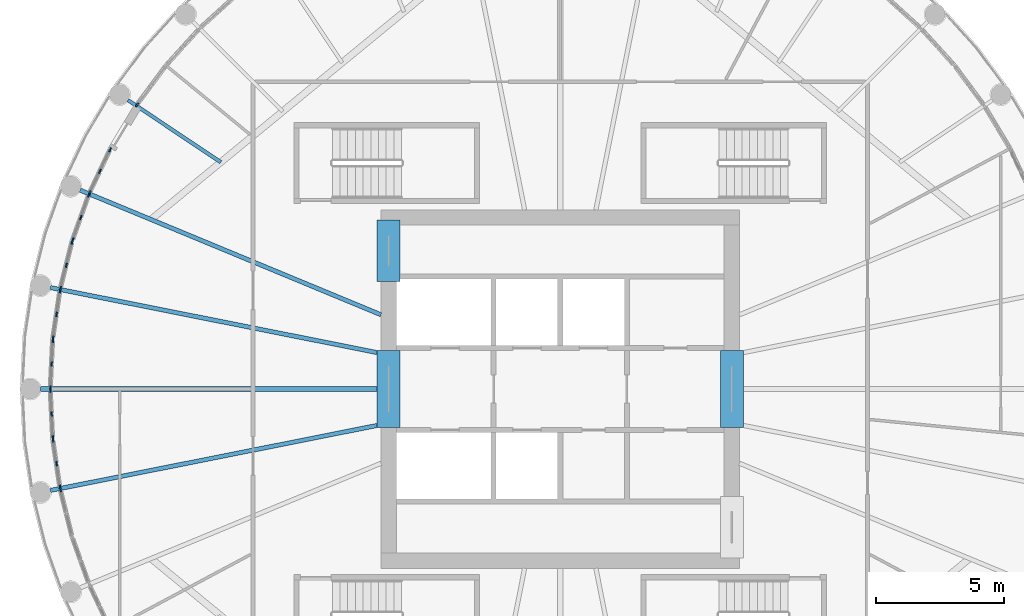
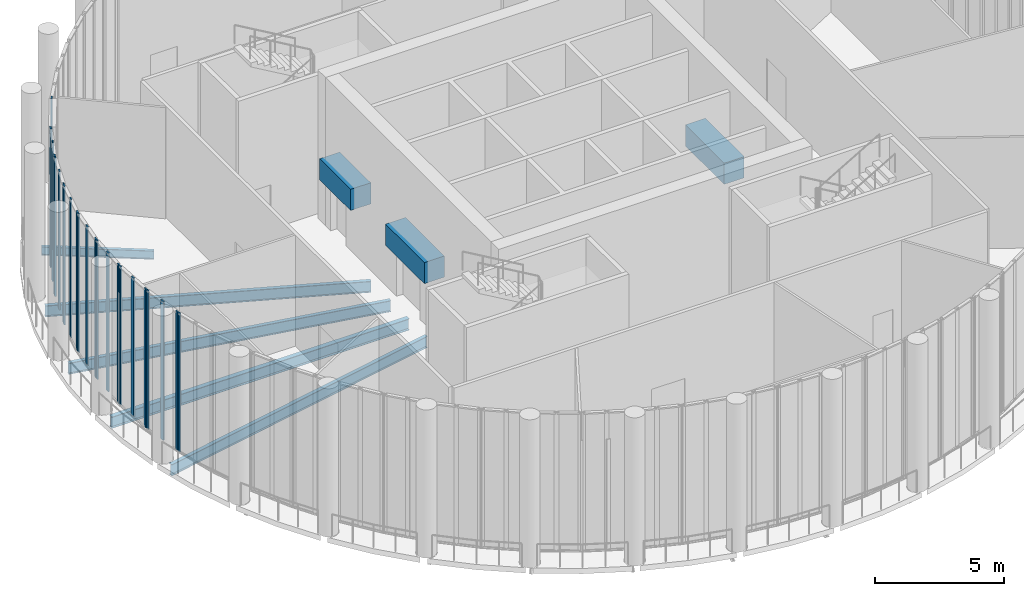
# One storey, part 4 of 21: 23 members, 8 beams, 9 elements without a shape of their own.
"""IFC4 building model written with IfcOpenShell, lengths in metres."""

from ifc_helpers import new_model, si_unit, direction, frame, origin, origin_2d, place, context, subcontext, project, spatial, rectangle, i_section, extrude, material, material_profile, profile_set, type_object, element, aggregate, save


model = new_model("IFC4")

# Units and contexts
model_context = context("Model", 3, precision=1e-05, world=origin(), true_north=direction((0.0, 1.0)))
body_context = subcontext(model_context, "Body", "Model", "MODEL_VIEW")
ifc_project = project(units=[si_unit("LENGTHUNIT", "METRE"), si_unit("AREAUNIT", "SQUARE_METRE"), si_unit("VOLUMEUNIT", "CUBIC_METRE"), si_unit("PLANEANGLEUNIT", "RADIAN"), si_unit("MASSUNIT", "GRAM", prefix="KILO")], contexts=[model_context])

# Site, building, storey
site_placement = place(None, origin())
site = spatial("IfcSite", under=ifc_project, at=site_placement, CompositionType="ELEMENT")
building_placement = place(site_placement, origin())
building = spatial("IfcBuilding", under=site, at=building_placement, Name="Corvane Civic Tower", CompositionType="ELEMENT")
storey_placement = place(building_placement, frame((0.0, 0.0, 380.5)))
storey = spatial("IfcBuildingStorey", under=building, at=storey_placement, Name="L91", CompositionType="ELEMENT", Elevation=380.5)

# Beams
ifc_material_1 = material(Name="Concrete C40/50", Category="concrete")
ifc_material_profile_1 = material_profile(ifc_material_1, rectangle(XDim=0.89990234375, YDim=1.0, at=origin_2d()), Name="COUPLING BEAM 900X1000")
ifc_profile_set_1 = profile_set([ifc_material_profile_1], Name="Concrete C40/50")
beam_type_1 = type_object("IfcBeamType", Name="COUPLING BEAM COUPLING BEAM 900X1000", PredefinedType="BEAM", material=ifc_profile_set_1)
for number, where, z_axis, x_axis, name in (
    (1, (-6.699951171875, -1.5, 2.60009765625), (0.0, 1.0, 0.0), (-1.0, 0.0, 0.0), "BM-L91-cpl-CW-LW"),
    (2, (6.699951171875, -1.5, 2.60009765625), (0.0, 1.0, 0.0), (-1.0, 0.0, 0.0), "BM-L91-cpl-CW-LE"),
):
    element("IfcBeam", number, at=place(storey_placement, frame(where, z_axis=z_axis, x_axis=x_axis)), inside=storey, type_object=beam_type_1, Name=name, PredefinedType="BEAM", context=body_context, shape_type="SweptSolid", body=[
        extrude(rectangle(XDim=0.89990234375, YDim=1.0, at=origin_2d()), origin(), (0.0, 0.0, 1.0), 3.0),
    ])
beam_1_placement = place(storey_placement, frame((-6.699951171875, 4.199951171875, 2.60009765625), z_axis=(0.0, 1.0, 0.0), x_axis=(-1.0, 0.0, 0.0)))
element("IfcBeam", 3, at=beam_1_placement, inside=storey, type_object=beam_type_1, Name="BM-L91-cpl-CW-PAS-N", PredefinedType="BEAM", context=body_context, shape_type="SweptSolid", body=[
    extrude(rectangle(XDim=0.89990234375, YDim=1.0, at=origin_2d()), origin(), (0.0, 0.0, 1.0), 2.400146484375),
])

# Curtain wall, member
ifc_material_2 = material(Name="Aluminium and glass", Category="aluminium")
curtain_wall_type = type_object("IfcCurtainWallType", Name="CROWN-CW-O-RUN", PredefinedType="NOTDEFINED", material=ifc_material_2)
curtain_wall_1_placement = place(storey_placement, origin())
curtain_wall_1 = element("IfcCurtainWall", 4, at=curtain_wall_1_placement, inside=storey, type_object=curtain_wall_type, Name="CW-O run L91 10", PredefinedType="NOTDEFINED")
ifc_material_3 = material(Name="Anodised aluminium bronze", Category="aluminium")
ifc_material_profile_2 = material_profile(ifc_material_3, rectangle(XDim=0.06005859375, YDim=0.179931640625, at=origin_2d()), Name="AL 60x180")
ifc_profile_set_2 = profile_set([ifc_material_profile_2], Name="Anodised aluminium bronze")
member_type = type_object("IfcMemberType", Name="CROWN-CWO-MULLION-60x180", PredefinedType="MULLION", material=ifc_profile_set_2)
member_1_placement = place(storey_placement, frame((-16.52734375, 11.097900390625, 0.0), z_axis=(0.0, 0.0, 1.0), x_axis=(0.803190345058, -0.595722477003, 0.0)))
member_1 = element("IfcMember", 5, at=member_1_placement, type_object=member_type, Name="CW-O mullion 3", PredefinedType="MULLION", context=body_context, shape_type="SweptSolid", body=[
    extrude(rectangle(XDim=0.06005859375, YDim=0.179931640625, at=origin_2d()), origin(), (0.0, 0.0, 1.0), 6.550048828125),
])
aggregate(curtain_wall_1, [member_1])

# Curtain wall, members
curtain_wall_2_placement = place(storey_placement, origin())
curtain_wall_2 = element("IfcCurtainWall", 6, at=curtain_wall_2_placement, inside=storey, type_object=curtain_wall_type, Name="CW-O run L91 12", PredefinedType="NOTDEFINED")
member_2_placement = place(storey_placement, frame((-17.578369140625, 9.34423828125, 0.0), z_axis=(0.0, 0.0, 1.0), x_axis=(0.904010875684, -0.427509457959, 0.0)))
member_2 = element("IfcMember", 7, at=member_2_placement, type_object=member_type, Name="CW-O mullion 1", PredefinedType="MULLION", context=body_context, shape_type="SweptSolid", body=[
    extrude(rectangle(XDim=0.06005859375, YDim=0.179931640625, at=origin_2d()), origin(), (0.0, 0.0, 1.0), 6.550048828125),
])
member_3_placement = place(storey_placement, frame((-17.9765625, 8.502197265625, 0.0), z_axis=(0.0, 0.0, 1.0), x_axis=(0.904010875684, -0.427509457959, 0.0)))
member_3 = element("IfcMember", 8, at=member_3_placement, type_object=member_type, Name="CW-O mullion 2", PredefinedType="MULLION", context=body_context, shape_type="SweptSolid", body=[
    extrude(rectangle(XDim=0.06005859375, YDim=0.179931640625, at=origin_2d()), origin(), (0.0, 0.0, 1.0), 6.550048828125),
])
member_4_placement = place(storey_placement, frame((-18.374755859375, 7.660400390625, 0.0), z_axis=(0.0, 0.0, 1.0), x_axis=(0.904010875684, -0.427509457959, 0.0)))
member_4 = element("IfcMember", 9, at=member_4_placement, type_object=member_type, Name="CW-O mullion 3", PredefinedType="MULLION", context=body_context, shape_type="SweptSolid", body=[
    extrude(rectangle(XDim=0.06005859375, YDim=0.179931640625, at=origin_2d()), origin(), (0.0, 0.0, 1.0), 6.550048828125),
])
aggregate(curtain_wall_2, [member_2, member_3, member_4])

curtain_wall_3_placement = place(storey_placement, origin())
curtain_wall_3 = element("IfcCurtainWall", 10, at=curtain_wall_3_placement, inside=storey, type_object=curtain_wall_type, Name="CW-O run L91 13", PredefinedType="NOTDEFINED")
member_5_placement = place(storey_placement, frame((-18.40966796875, 7.576171875, 0.0), z_axis=(0.0, 0.0, 1.0), x_axis=(0.941511051216, -0.336982106999, 0.0)))
member_5 = element("IfcMember", 11, at=member_5_placement, type_object=member_type, Name="CW-O mullion 1", PredefinedType="MULLION", context=body_context, shape_type="SweptSolid", body=[
    extrude(rectangle(XDim=0.06005859375, YDim=0.179931640625, at=origin_2d()), origin(), (0.0, 0.0, 1.0), 6.550048828125),
])
member_6_placement = place(storey_placement, frame((-18.723388671875, 6.69921875, 0.0), z_axis=(0.0, 0.0, 1.0), x_axis=(0.941511051216, -0.336982106999, 0.0)))
member_6 = element("IfcMember", 12, at=member_6_placement, type_object=member_type, Name="CW-O mullion 2", PredefinedType="MULLION", context=body_context, shape_type="SweptSolid", body=[
    extrude(rectangle(XDim=0.06005859375, YDim=0.179931640625, at=origin_2d()), origin(), (0.0, 0.0, 1.0), 6.550048828125),
])
member_7_placement = place(storey_placement, frame((-19.037353515625, 5.822509765625, 0.0), z_axis=(0.0, 0.0, 1.0), x_axis=(0.941511051216, -0.336982106999, 0.0)))
member_7 = element("IfcMember", 13, at=member_7_placement, type_object=member_type, Name="CW-O mullion 3", PredefinedType="MULLION", context=body_context, shape_type="SweptSolid", body=[
    extrude(rectangle(XDim=0.06005859375, YDim=0.179931640625, at=origin_2d()), origin(), (0.0, 0.0, 1.0), 6.550048828125),
])
aggregate(curtain_wall_3, [member_5, member_6, member_7])

curtain_wall_4_placement = place(storey_placement, origin())
curtain_wall_4 = element("IfcCurtainWall", 14, at=curtain_wall_4_placement, inside=storey, type_object=curtain_wall_type, Name="CW-O run L91 14", PredefinedType="NOTDEFINED")
member_8_placement = place(storey_placement, frame((-19.063720703125, 5.7353515625, 0.0), z_axis=(0.0, 0.0, 1.0), x_axis=(0.970038385347, -0.242951704982, 0.0)))
member_8 = element("IfcMember", 15, at=member_8_placement, type_object=member_type, Name="CW-O mullion 1", PredefinedType="MULLION", context=body_context, shape_type="SweptSolid", body=[
    extrude(rectangle(XDim=0.06005859375, YDim=0.179931640625, at=origin_2d()), origin(), (0.0, 0.0, 1.0), 6.550048828125),
])
member_9_placement = place(storey_placement, frame((-19.2900390625, 4.831787109375, 0.0), z_axis=(0.0, 0.0, 1.0), x_axis=(0.970038385347, -0.242951704982, 0.0)))
member_9 = element("IfcMember", 16, at=member_9_placement, type_object=member_type, Name="CW-O mullion 2", PredefinedType="MULLION", context=body_context, shape_type="SweptSolid", body=[
    extrude(rectangle(XDim=0.06005859375, YDim=0.179931640625, at=origin_2d()), origin(), (0.0, 0.0, 1.0), 6.550048828125),
])
member_10_placement = place(storey_placement, frame((-19.516357421875, 3.928466796875, 0.0), z_axis=(0.0, 0.0, 1.0), x_axis=(0.970038385347, -0.242951704982, 0.0)))
member_10 = element("IfcMember", 17, at=member_10_placement, type_object=member_type, Name="CW-O mullion 3", PredefinedType="MULLION", context=body_context, shape_type="SweptSolid", body=[
    extrude(rectangle(XDim=0.06005859375, YDim=0.179931640625, at=origin_2d()), origin(), (0.0, 0.0, 1.0), 6.550048828125),
])
aggregate(curtain_wall_4, [member_8, member_9, member_10])

curtain_wall_5_placement = place(storey_placement, origin())
curtain_wall_5 = element("IfcCurtainWall", 18, at=curtain_wall_5_placement, inside=storey, type_object=curtain_wall_type, Name="CW-O run L91 15", PredefinedType="NOTDEFINED")
member_11_placement = place(storey_placement, frame((-19.533935546875, 3.839111328125, 0.0), z_axis=(0.0, 0.0, 1.0), x_axis=(0.989170486303, -0.146771076941, 0.0)))
member_11 = element("IfcMember", 19, at=member_11_placement, type_object=member_type, Name="CW-O mullion 1", PredefinedType="MULLION", context=body_context, shape_type="SweptSolid", body=[
    extrude(rectangle(XDim=0.06005859375, YDim=0.179931640625, at=origin_2d()), origin(), (0.0, 0.0, 1.0), 6.550048828125),
])
member_12_placement = place(storey_placement, frame((-19.670654296875, 2.91796875, 0.0), z_axis=(0.0, 0.0, 1.0), x_axis=(0.989170486303, -0.146771076941, 0.0)))
member_12 = element("IfcMember", 20, at=member_12_placement, type_object=member_type, Name="CW-O mullion 2", PredefinedType="MULLION", context=body_context, shape_type="SweptSolid", body=[
    extrude(rectangle(XDim=0.06005859375, YDim=0.179931640625, at=origin_2d()), origin(), (0.0, 0.0, 1.0), 6.550048828125),
])
member_13_placement = place(storey_placement, frame((-19.807373046875, 1.99658203125, 0.0), z_axis=(0.0, 0.0, 1.0), x_axis=(0.989170486303, -0.146771076941, 0.0)))
member_13 = element("IfcMember", 21, at=member_13_placement, type_object=member_type, Name="CW-O mullion 3", PredefinedType="MULLION", context=body_context, shape_type="SweptSolid", body=[
    extrude(rectangle(XDim=0.06005859375, YDim=0.179931640625, at=origin_2d()), origin(), (0.0, 0.0, 1.0), 6.550048828125),
])
aggregate(curtain_wall_5, [member_11, member_12, member_13])

curtain_wall_6_placement = place(storey_placement, origin())
curtain_wall_6 = element("IfcCurtainWall", 22, at=curtain_wall_6_placement, inside=storey, type_object=curtain_wall_type, Name="CW-O run L91 16", PredefinedType="NOTDEFINED")
member_14_placement = place(storey_placement, frame((-19.81640625, 1.90625, 0.0), z_axis=(0.0, 0.0, 1.0), x_axis=(0.998799228405, -0.048990829113, 0.0)))
member_14 = element("IfcMember", 23, at=member_14_placement, type_object=member_type, Name="CW-O mullion 1", PredefinedType="MULLION", context=body_context, shape_type="SweptSolid", body=[
    extrude(rectangle(XDim=0.06005859375, YDim=0.179931640625, at=origin_2d()), origin(), (0.0, 0.0, 1.0), 6.550048828125),
])
member_15_placement = place(storey_placement, frame((-19.862060546875, 0.975830078125, 0.0), z_axis=(0.0, 0.0, 1.0), x_axis=(0.998799228405, -0.048990829113, 0.0)))
member_15 = element("IfcMember", 24, at=member_15_placement, type_object=member_type, Name="CW-O mullion 2", PredefinedType="MULLION", context=body_context, shape_type="SweptSolid", body=[
    extrude(rectangle(XDim=0.06005859375, YDim=0.179931640625, at=origin_2d()), origin(), (0.0, 0.0, 1.0), 6.550048828125),
])
member_16_placement = place(storey_placement, frame((-19.90771484375, 0.045654296875, 0.0), z_axis=(0.0, 0.0, 1.0), x_axis=(0.998799228405, -0.048990829113, 0.0)))
member_16 = element("IfcMember", 25, at=member_16_placement, type_object=member_type, Name="CW-O mullion 3", PredefinedType="MULLION", context=body_context, shape_type="SweptSolid", body=[
    extrude(rectangle(XDim=0.06005859375, YDim=0.179931640625, at=origin_2d()), origin(), (0.0, 0.0, 1.0), 6.550048828125),
])
aggregate(curtain_wall_6, [member_14, member_15, member_16])

curtain_wall_7_placement = place(storey_placement, origin())
curtain_wall_7 = element("IfcCurtainWall", 26, at=curtain_wall_7_placement, inside=storey, type_object=curtain_wall_type, Name="CW-O run L91 17", PredefinedType="NOTDEFINED")
member_17_placement = place(storey_placement, frame((-19.90771484375, -0.045654296875, 0.0), z_axis=(0.0, 0.0, 1.0), x_axis=(0.998799228405, 0.048990829113, 0.0)))
member_17 = element("IfcMember", 27, at=member_17_placement, type_object=member_type, Name="CW-O mullion 1", PredefinedType="MULLION", context=body_context, shape_type="SweptSolid", body=[
    extrude(rectangle(XDim=0.06005859375, YDim=0.179931640625, at=origin_2d()), origin(), (0.0, 0.0, 1.0), 6.550048828125),
])
member_18_placement = place(storey_placement, frame((-19.862060546875, -0.975830078125, 0.0), z_axis=(0.0, 0.0, 1.0), x_axis=(0.998799228405, 0.048990829113, 0.0)))
member_18 = element("IfcMember", 28, at=member_18_placement, type_object=member_type, Name="CW-O mullion 2", PredefinedType="MULLION", context=body_context, shape_type="SweptSolid", body=[
    extrude(rectangle(XDim=0.06005859375, YDim=0.179931640625, at=origin_2d()), origin(), (0.0, 0.0, 1.0), 6.550048828125),
])
member_19_placement = place(storey_placement, frame((-19.81640625, -1.90625, 0.0), z_axis=(0.0, 0.0, 1.0), x_axis=(0.998799228405, 0.048990829113, 0.0)))
member_19 = element("IfcMember", 29, at=member_19_placement, type_object=member_type, Name="CW-O mullion 3", PredefinedType="MULLION", context=body_context, shape_type="SweptSolid", body=[
    extrude(rectangle(XDim=0.06005859375, YDim=0.179931640625, at=origin_2d()), origin(), (0.0, 0.0, 1.0), 6.550048828125),
])
aggregate(curtain_wall_7, [member_17, member_18, member_19])

curtain_wall_8_placement = place(storey_placement, origin())
curtain_wall_8 = element("IfcCurtainWall", 30, at=curtain_wall_8_placement, inside=storey, type_object=curtain_wall_type, Name="CW-O run L91 18", PredefinedType="NOTDEFINED")
member_20_placement = place(storey_placement, frame((-19.807373046875, -1.99658203125, 0.0), z_axis=(0.0, 0.0, 1.0), x_axis=(0.989170486303, 0.146771076941, 0.0)))
member_20 = element("IfcMember", 31, at=member_20_placement, type_object=member_type, Name="CW-O mullion 1", PredefinedType="MULLION", context=body_context, shape_type="SweptSolid", body=[
    extrude(rectangle(XDim=0.06005859375, YDim=0.179931640625, at=origin_2d()), origin(), (0.0, 0.0, 1.0), 6.550048828125),
])
member_21_placement = place(storey_placement, frame((-19.670654296875, -2.91796875, 0.0), z_axis=(0.0, 0.0, 1.0), x_axis=(0.989170486303, 0.146771076941, 0.0)))
member_21 = element("IfcMember", 32, at=member_21_placement, type_object=member_type, Name="CW-O mullion 2", PredefinedType="MULLION", context=body_context, shape_type="SweptSolid", body=[
    extrude(rectangle(XDim=0.06005859375, YDim=0.179931640625, at=origin_2d()), origin(), (0.0, 0.0, 1.0), 6.550048828125),
])
member_22_placement = place(storey_placement, frame((-19.533935546875, -3.839111328125, 0.0), z_axis=(0.0, 0.0, 1.0), x_axis=(0.989170486303, 0.146771076941, 0.0)))
member_22 = element("IfcMember", 33, at=member_22_placement, type_object=member_type, Name="CW-O mullion 3", PredefinedType="MULLION", context=body_context, shape_type="SweptSolid", body=[
    extrude(rectangle(XDim=0.06005859375, YDim=0.179931640625, at=origin_2d()), origin(), (0.0, 0.0, 1.0), 6.550048828125),
])
aggregate(curtain_wall_8, [member_20, member_21, member_22])

# Curtain wall, member
curtain_wall_9_placement = place(storey_placement, origin())
curtain_wall_9 = element("IfcCurtainWall", 34, at=curtain_wall_9_placement, inside=storey, type_object=curtain_wall_type, Name="CW-O run L91 19", PredefinedType="NOTDEFINED")
member_23_placement = place(storey_placement, frame((-19.516357421875, -3.928466796875, 0.0), z_axis=(0.0, 0.0, 1.0), x_axis=(0.970038385347, 0.242951704982, 0.0)))
member_23 = element("IfcMember", 35, at=member_23_placement, type_object=member_type, Name="CW-O mullion 1", PredefinedType="MULLION", context=body_context, shape_type="SweptSolid", body=[
    extrude(rectangle(XDim=0.06005859375, YDim=0.179931640625, at=origin_2d()), origin(), (0.0, 0.0, 1.0), 6.550048828125),
])
aggregate(curtain_wall_9, [member_23])

# Beams
ifc_material_4 = material(Name="Steel ASTM A992 Gr 50", Category="steel")
ifc_material_profile_3 = material_profile(ifc_material_4, i_section(OverallWidth=0.140380859375, OverallDepth=0.40380859375, WebThickness=0.007080078125, FlangeThickness=0.01123046875, at=origin_2d()), Name="W16X31")
ifc_profile_set_3 = profile_set([ifc_material_profile_3], Name="Steel ASTM A992 Gr 50")
beam_type_2 = type_object("IfcBeamType", Name="FLOOR GIRDER W16X31", PredefinedType="BEAM", material=ifc_profile_set_3)
beam_2_placement = place(storey_placement, frame((-13.25634765625, 8.857666015625, -0.65185546875), z_axis=(-0.83148086288, 0.555553394972, 0.0), x_axis=(-0.555553394972, -0.83148086288, 0.0)))
element("IfcBeam", 36, at=beam_2_placement, inside=storey, type_object=beam_type_2, Name="BM-L91-G28", PredefinedType="BEAM", context=body_context, shape_type="SweptSolid", body=[
    extrude(i_section(OverallWidth=0.140380859375, OverallDepth=0.40380859375, WebThickness=0.007080078125, FlangeThickness=0.01123046875, at=origin_2d()), origin(), (0.0, 0.0, 1.0), 4.356689453125),
])
ifc_material_5 = material(Name="Steel ASTM A992 Gr 50", Category="steel")
ifc_material_profile_4 = material_profile(ifc_material_5, i_section(OverallWidth=0.165771484375, OverallDepth=0.5283203125, WebThickness=0.009765625, FlangeThickness=0.013671875, at=origin_2d()), Name="W21X50")
ifc_profile_set_4 = profile_set([ifc_material_profile_4], Name="Steel ASTM A992 Gr 50")
beam_type_3 = type_object("IfcBeamType", Name="FLOOR GIRDER W21X50", PredefinedType="BEAM", material=ifc_profile_set_4)
for number, where, z_axis, x_axis, name in (
    (37, (-7.0, -1.392333984375, -0.714111328125), (-0.980782750188, -0.195103041836, 0.0), (0.195103041836, -0.980782750188, 0.0), "BM-L91-G24"),
    (38, (-7.0, 1.392333984375, -0.714111328125), (-0.980782750188, 0.195103041836, 0.0), (-0.195103041836, -0.980782750188, 0.0), "BM-L91-G26"),
):
    element("IfcBeam", number, at=place(storey_placement, frame(where, z_axis=z_axis, x_axis=x_axis)), inside=storey, type_object=beam_type_3, Name=name, PredefinedType="BEAM", context=body_context, shape_type="SweptSolid", body=[
        extrude(i_section(OverallWidth=0.165771484375, OverallDepth=0.5283203125, WebThickness=0.009765625, FlangeThickness=0.013671875, at=origin_2d()), origin(), (0.0, 0.0, 1.0), 13.162841796875),
    ])
beam_3_placement = place(storey_placement, frame((-7.0, 2.8994140625, -0.714111328125), z_axis=(-0.923873700625, 0.382697511481, 0.0), x_axis=(-0.382697511481, -0.923873700625, 0.0)))
element("IfcBeam", 39, at=beam_3_placement, inside=storey, type_object=beam_type_3, Name="BM-L91-G27", PredefinedType="BEAM", context=body_context, shape_type="SweptSolid", body=[
    extrude(i_section(OverallWidth=0.165771484375, OverallDepth=0.5283203125, WebThickness=0.009765625, FlangeThickness=0.013671875, at=origin_2d()), origin(), (0.0, 0.0, 1.0), 12.72314453125),
])
ifc_material_6 = material(Name="Steel ASTM A992 Gr 50", Category="steel")
ifc_material_profile_5 = material_profile(ifc_material_6, i_section(OverallWidth=0.209228515625, OverallDepth=0.533447265625, WebThickness=0.01025390625, FlangeThickness=0.015625, at=origin_2d()), Name="W21X62")
ifc_profile_set_5 = profile_set([ifc_material_profile_5], Name="Steel ASTM A992 Gr 50")
beam_type_4 = type_object("IfcBeamType", Name="FLOOR GIRDER W21X62", PredefinedType="BEAM", material=ifc_profile_set_5)
beam_4_placement = place(storey_placement, frame((-7.0, 0.0, -0.716796875), z_axis=(-1.0, 0.0, 0.0), x_axis=(0.0, -1.0, 0.0)))
element("IfcBeam", 40, at=beam_4_placement, inside=storey, type_object=beam_type_4, Name="BM-L91-G25", PredefinedType="BEAM", context=body_context, shape_type="SweptSolid", body=[
    extrude(i_section(OverallWidth=0.209228515625, OverallDepth=0.533447265625, WebThickness=0.01025390625, FlangeThickness=0.015625, at=origin_2d()), origin(), (0.0, 0.0, 1.0), 13.300048828125),
])

save(model, "model.ifc")
